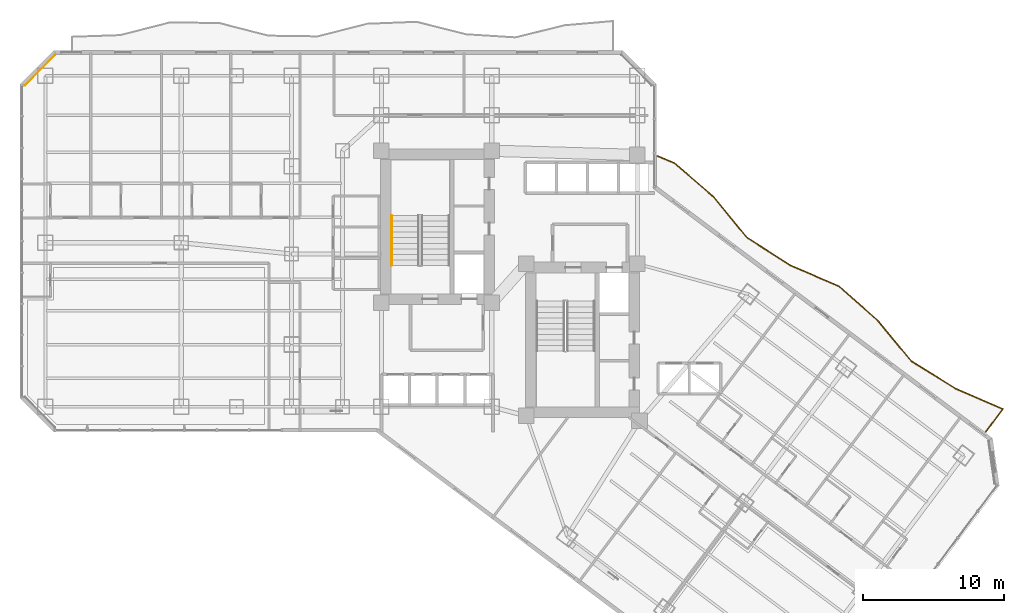
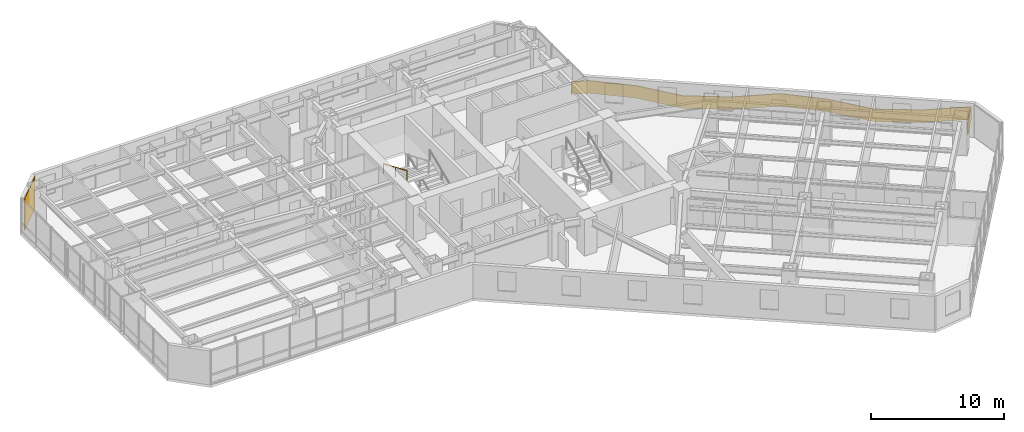
# One storey, part 31 of 33: 2 railings, 1 covering.
"""IFC4 building model written with IfcOpenShell, lengths in metres."""

from ifc_helpers import new_model, si_unit, direction, frame, origin, origin_2d, place, context, subcontext, project, spatial, polyline, rectangle, circle, outline, extrude, material, layer, layer_set, type_object, element, save


model = new_model("IFC4")

# Units and contexts
model_context = context("Model", 3, precision=1e-05, world=origin(), true_north=direction((0.0, 1.0)))
body_context = subcontext(model_context, "Body", "Model", "MODEL_VIEW")
ifc_project = project(units=[si_unit("LENGTHUNIT", "METRE"), si_unit("AREAUNIT", "SQUARE_METRE"), si_unit("VOLUMEUNIT", "CUBIC_METRE"), si_unit("PLANEANGLEUNIT", "RADIAN"), si_unit("MASSUNIT", "GRAM", prefix="KILO")], contexts=[model_context])

# Site, building, storey
site_placement = place(None, origin())
site = spatial("IfcSite", under=ifc_project, at=site_placement, CompositionType="ELEMENT")
building_placement = place(site_placement, origin())
building = spatial("IfcBuilding", under=site, at=building_placement, Name="Hatsunagi Terrace Concourse", CompositionType="ELEMENT")
storey_placement = place(building_placement, frame((0.0, 0.0, 56.699951171875)))
storey = spatial("IfcBuildingStorey", under=building, at=storey_placement, Name="L14", CompositionType="ELEMENT", Elevation=56.699951171875)

# Railings
ifc_material_1 = material(Name="Laminated Glass and Stainless Steel Guard", Category="steel")
ifc_layer_1 = layer(ifc_material_1, 0.070068359375)
ifc_layer_set_1 = layer_set([ifc_layer_1], Name="BalconyGlassGuardRail_1150")
railing_type_1 = type_object("IfcRailingType", Name="BalconyGlassGuardRail_1150", PredefinedType="BALUSTRADE", material=ifc_layer_set_1)
railing_1_placement = place(storey_placement, origin())
element("IfcRailing", 1, at=railing_1_placement, inside=storey, type_object=railing_type_1, Name="Engawa Balcony Guard GRD-01 L14-BSE-1", PredefinedType="BALUSTRADE", context=body_context, shape_type="SweptSolid", body=[
    extrude(outline(polyline([(45.059814453125, 42.977294921875), (45.0322265625, 42.912841796875), (46.248291015625, 42.39697265625), (48.992919921875, 40.035400390625), (51.369384765625, 37.138427734375), (54.45654296875, 35.1640625), (57.885009765625, 33.691162109375), (60.599853515625, 31.28857421875), (62.98779296875, 28.404296875), (66.103759765625, 26.470947265625), (69.435302734375, 25.021484375), (68.241943359375, 23.430908203125), (68.298095703125, 23.388916015625), (69.544677734375, 25.05029296875), (66.13623046875, 26.533203125), (63.0341796875, 28.457763671875), (60.650146484375, 31.33740234375), (57.923095703125, 33.7509765625), (54.489501953125, 35.22607421875), (51.41650390625, 37.19140625), (49.043212890625, 40.08447265625), (46.28564453125, 42.45703125), (45.059814453125, 42.977294921875)])), origin(), (0.0, 0.0, 1.0), 1.150146484375),
])
ifc_material_2 = material(Name="Stainless steel", Category="steel")
ifc_layer_2 = layer(ifc_material_2, 0.044921875)
ifc_layer_set_2 = layer_set([ifc_layer_2], Name="StairPitchHandrail_Tower2000")
railing_type_2 = type_object("IfcRailingType", Name="StairPitchHandrail_Tower2000", PredefinedType="HANDRAIL", material=ifc_layer_set_2)
railing_2_placement = place(storey_placement, frame((26.280029296875, 38.7099609375, 1.842529296875)))
element("IfcRailing", 2, at=railing_2_placement, inside=storey, type_object=railing_type_2, Name="L14 ST-A stair handrail 2", PredefinedType="HANDRAIL", context=body_context, shape_type="SweptSolid", body=[
    extrude(circle(Radius=0.02392578125, at=origin_2d()), frame((0.0, 0.0, 0.8759765625), z_axis=(0.0, -0.918834009242, 0.394644223904), x_axis=(1.0, 0.0, 0.0)), (0.0, 0.0, 1.0), 3.820068359375),
    extrude(circle(Radius=0.02099609375, at=origin_2d()), origin(), (0.0, 0.0, 1.0), 0.851806640625),
    extrude(circle(Radius=0.02099609375, at=origin_2d()), frame((0.0, -1.7548828125, 0.75390625)), (0.0, 0.0, 1.0), 0.851806640625),
    extrude(circle(Radius=0.02099609375, at=origin_2d()), frame((0.0, -3.510009765625, 1.507568359375)), (0.0, 0.0, 1.0), 0.851806640625),
])

# Covering
ifc_material_3 = material(Name="Unglazed Warm Terracotta Rainscreen Tile", Category="masonry")
ifc_layer_3 = layer(ifc_material_3, 0.044921875)
ifc_layer_set_3 = layer_set([ifc_layer_3], Name="TerracottaRainscreenCladding_45")
covering_type = type_object("IfcCoveringType", Name="TerracottaRainscreenCladding_45", PredefinedType="CLADDING", material=ifc_layer_set_3)
covering_placement = place(storey_placement, frame((1.4140625, 48.986083984375, 0.10009765625), z_axis=(0.0, 0.0, 1.0), x_axis=(0.707106781187, 0.707106781187, 0.0)))
element("IfcCovering", 3, at=covering_placement, inside=storey, type_object=covering_type, Name="Terracotta Rainscreen Cladding L14-10", PredefinedType="CLADDING", context=body_context, shape_type="SweptSolid", body=[
    extrude(rectangle(XDim=3.0380859375, YDim=0.044921875, at=origin_2d()), origin(), (0.0, 0.0, 1.0), 2.929931640625),
])

save(model, "model.ifc")
